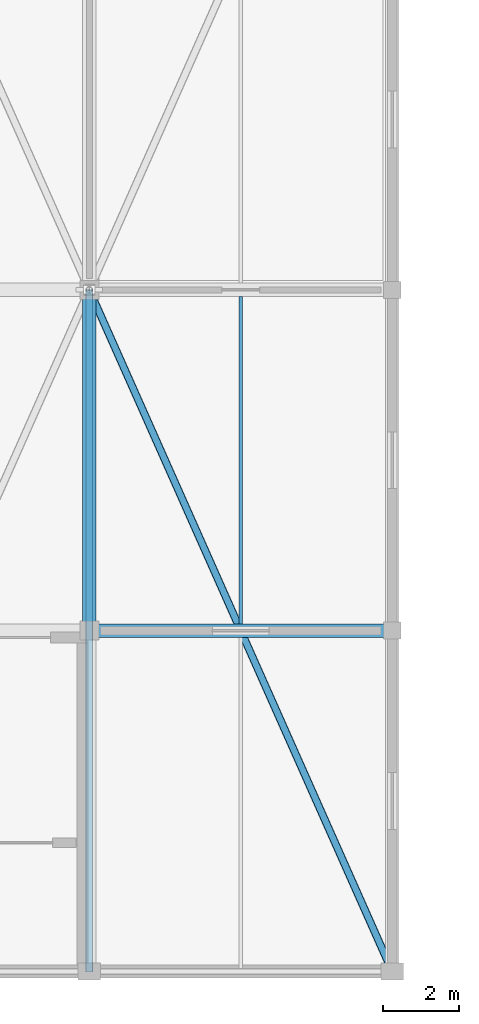
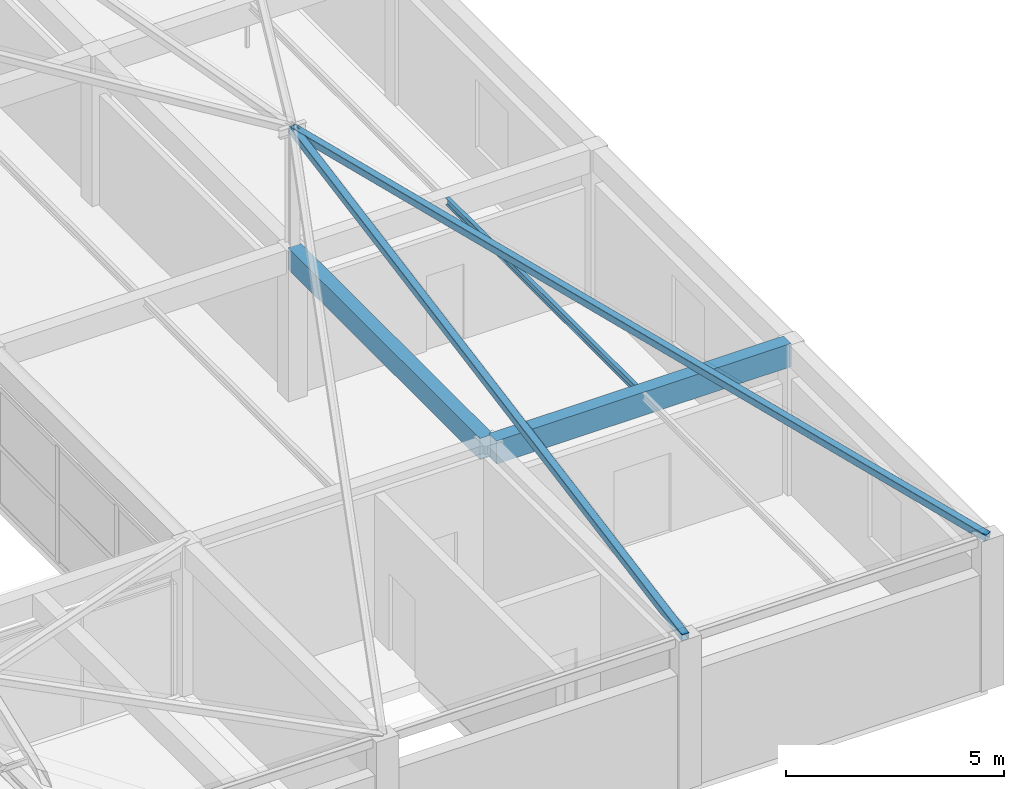
# One storey, part 37 of 65: 3 beams, 2 members.
"""IFC4 building model written with IfcOpenShell, lengths in metres."""

import ifcopenshell
import ifcopenshell.guid

model = None  # the IFC model being written
_history = None  # IfcOwnerHistory: only IFC2X3 demands one
_inside = {}  # id of a spatial element -> (the spatial element, [elements in it])
_under = {}  # id of a project, library or spatial element -> (it, [spatial elements below it])
_declared = {}  # id of a project -> (the project, [libraries it declares])
_typed = {}  # id of a type object -> (the type object, [elements of that type])
_made_of = {}  # id of a material, layer set ... -> (it, [elements and type objects made of it])


def new_model(schema):
    """Start an empty IFC model of exactly this schema.

    Asked for "IFC4X3", IfcOpenShell would pick the latest addendum, in which some entities
    have other attributes; the version numbers below select the first issue.
    IFC2X3 requires an IfcOwnerHistory on every rooted entity: one is made here for all.
    """
    global model, _history
    if schema == "IFC4X3":
        model = ifcopenshell.file(schema_version=(4, 3, 0, 0))
    else:
        model = ifcopenshell.file(schema=schema)
    _inside.clear()
    _under.clear()
    _declared.clear()
    _typed.clear()
    _made_of.clear()
    _history = None
    if model.schema == "IFC2X3":
        org = make("IfcOrganization", Name="unknown")
        user = make(
            "IfcPersonAndOrganization",
            ThePerson=make("IfcPerson", FamilyName="unknown"),
            TheOrganization=org,
        )
        app = make(
            "IfcApplication",
            ApplicationDeveloper=org,
            Version="unknown",
            ApplicationFullName="unknown",
            ApplicationIdentifier="unknown",
        )
        _history = make(
            "IfcOwnerHistory",
            OwningUser=user,
            OwningApplication=app,
            ChangeAction="ADDED",
            CreationDate=0,
        )
    return model


def make(cls, **values):
    """One entity of the class cls with the attributes given. An attribute that is None is left unset."""
    return model.create_entity(
        cls, **{name: value for name, value in values.items() if value is not None}
    )


def rooted(cls, **values):
    """An entity with a GlobalId (a new one), such as an element, a storey or a relation."""
    return make(cls, GlobalId=ifcopenshell.guid.new(), OwnerHistory=_history, **values)


def si_unit(unit_type, name, prefix=None):
    """IfcSIUnit, for example si_unit("LENGTHUNIT", "METRE", prefix="MILLI")."""
    return make("IfcSIUnit", UnitType=unit_type, Prefix=prefix, Name=name)


def assignment(units):
    """IfcUnitAssignment: the units of a project."""
    return None if units is None else make("IfcUnitAssignment", Units=units)


def point(xyz):
    """IfcCartesianPoint."""
    return None if xyz is None else make("IfcCartesianPoint", Coordinates=xyz)


def direction(xyz):
    """IfcDirection."""
    return None if xyz is None else make("IfcDirection", DirectionRatios=xyz)


def frame(location, z_axis=None, x_axis=None):
    """IfcAxis2Placement3D, a coordinate frame: its origin and axes. An axis left out is left unset."""
    return make(
        "IfcAxis2Placement3D",
        Location=point(location),
        Axis=direction(z_axis),
        RefDirection=direction(x_axis),
    )


def frame_2d(location, x_axis=None):
    """IfcAxis2Placement2D, a coordinate frame in the plane: its origin and x axis."""
    return make(
        "IfcAxis2Placement2D", Location=point(location), RefDirection=direction(x_axis)
    )


def origin():
    """The frame at (0, 0, 0) with its axes left unset."""
    return frame((0.0, 0.0, 0.0))


def origin_2d():
    """The frame at (0, 0) in the plane with its x axis left unset."""
    return frame_2d((0.0, 0.0))


def place(relative_to, where):
    """IfcLocalPlacement: puts the frame where relative to a parent placement (None: the world)."""
    return make(
        "IfcLocalPlacement", PlacementRelTo=relative_to, RelativePlacement=where
    )


def context(
    kind, dimensions, precision=None, world=None, true_north=None, identifier=None
):
    """IfcGeometricRepresentationContext, for example the 3D "Model" context."""
    return make(
        "IfcGeometricRepresentationContext",
        ContextIdentifier=identifier,
        ContextType=kind,
        CoordinateSpaceDimension=dimensions,
        Precision=precision,
        WorldCoordinateSystem=world,
        TrueNorth=true_north,
    )


def subcontext(parent, identifier, kind, view, scale=None):
    """IfcGeometricRepresentationSubContext, for example "Body" below "Model"."""
    return make(
        "IfcGeometricRepresentationSubContext",
        ContextIdentifier=identifier,
        ContextType=kind,
        ParentContext=parent,
        TargetScale=scale,
        TargetView=view,
    )


def project(units=None, contexts=None):
    """IfcProject with its units and contexts."""
    return rooted(
        "IfcProject",
        Name="project",
        RepresentationContexts=contexts,
        UnitsInContext=assignment(units),
    )


def spatial(cls, under=None, at=None, **own):
    """A site, building, storey or space (cls), placed at a placement, below another one or the project."""
    s = rooted(cls, ObjectPlacement=at, **own)
    if under is not None:
        _under.setdefault(under.id(), (under, []))[1].append(s)
    return s


def profile(cls, at=None, kind="AREA", **sizes):
    """A parametric profile (cls). Its sizes go by their IFC names, for example OverallWidth=200.0."""
    return make(cls, ProfileType=kind, Position=at, **sizes)


def rectangle(**sizes):
    """IfcRectangleProfileDef."""
    return profile("IfcRectangleProfileDef", **sizes)


def hollow_rectangle(**sizes):
    """IfcRectangleHollowProfileDef."""
    return profile("IfcRectangleHollowProfileDef", **sizes)


def i_section(**sizes):
    """IfcIShapeProfileDef."""
    return profile("IfcIShapeProfileDef", **sizes)


def extrude(swept, where, along, depth):
    """IfcExtrudedAreaSolid: the profile swept, set in the frame where, extruded along a direction by depth."""
    return make(
        "IfcExtrudedAreaSolid",
        SweptArea=swept,
        Position=where,
        ExtrudedDirection=direction(along),
        Depth=depth,
    )


def shape(context_of_items, identifier, shape_type, items):
    """IfcShapeRepresentation: the items that make up one representation, for example the "Body"."""
    return make(
        "IfcShapeRepresentation",
        ContextOfItems=context_of_items,
        RepresentationIdentifier=identifier,
        RepresentationType=shape_type,
        Items=items,
    )


def material(Name=None, Category=None):
    """IfcMaterial."""
    return make("IfcMaterial", Name=Name, Category=Category)


def material_profile(
    of_material, cross_section, Name=None, Category=None, Priority=None
):
    """IfcMaterialProfile: a cross section and its material."""
    return make(
        "IfcMaterialProfile",
        Name=Name,
        Material=of_material,
        Profile=cross_section,
        Priority=Priority,
        Category=Category,
    )


def profile_set(profiles, Name=None, composite=None):
    """IfcMaterialProfileSet."""
    return make(
        "IfcMaterialProfileSet",
        Name=Name,
        MaterialProfiles=profiles,
        CompositeProfile=composite,
    )


def made_of(thing, what):
    """Note that an element or type object is made of a material, layer set ...; save() writes the relation."""
    if what is not None:
        _made_of.setdefault(what.id(), (what, []))[1].append(thing)
    return thing


def type_object(cls, material=None, **own):
    """A type object (cls), such as IfcWallType, which elements share."""
    return made_of(rooted(cls, **own), material)


def element(
    cls,
    number,
    at=None,
    inside=None,
    cuts=None,
    type_object=None,
    material=None,
    context=None,
    identifier="Body",
    shape_type=None,
    held_by="IfcProductDefinitionShape",
    body=None,
    shapes=None,
    **own,
):
    """One element of the class cls, such as IfcWall. Its Tag is "e" and its number.

    at: its placement. inside: the storey or other place that contains it. cuts: it is an
    opening in that element (IfcRelVoidsElement). A single representation is given by context,
    identifier, shape_type and body (its items); several are given by shapes. held_by: the class
    of the entity that holds the representations. save() writes the other relations.
    """
    e = rooted(cls, Tag="e%d" % number, ObjectPlacement=at, **own)
    if body is not None:
        shapes = [shape(context, identifier, shape_type, body)]
    if shapes is not None:
        e.Representation = make(held_by, Representations=shapes)
    if inside is not None:
        _inside.setdefault(inside.id(), (inside, []))[1].append(e)
    if cuts is not None:
        rooted(
            "IfcRelVoidsElement", RelatingBuildingElement=cuts, RelatedOpeningElement=e
        )
    if type_object is not None:
        _typed.setdefault(type_object.id(), (type_object, []))[1].append(e)
    return made_of(e, material)


def aggregate(whole, parts):
    """IfcRelAggregates: a whole, such as a stair, and the parts it consists of."""
    return rooted("IfcRelAggregates", RelatingObject=whole, RelatedObjects=parts)


def save(model, path):
    """Write the relations noted so far, then the file.

    IfcRelAggregates (storeys below a building ...), IfcRelContainedInSpatialStructure (elements
    in a storey), IfcRelDefinesByType, IfcRelAssociatesMaterial and IfcRelDeclares: one each for
    every whole, place, type object, material and project.
    """
    for whole, parts in _under.values():
        aggregate(whole, parts)
    for where, things in _inside.values():
        rooted(
            "IfcRelContainedInSpatialStructure",
            RelatedElements=things,
            RelatingStructure=where,
        )
    for kind, things in _typed.values():
        rooted("IfcRelDefinesByType", RelatedObjects=things, RelatingType=kind)
    for what, things in _made_of.values():
        rooted("IfcRelAssociatesMaterial", RelatedObjects=things, RelatingMaterial=what)
    for by, libraries in _declared.values():
        rooted("IfcRelDeclares", RelatingContext=by, RelatedDefinitions=libraries)
    model.write(path)


model = new_model("IFC4")

# Units and contexts
model_context = context("Model", 3, precision=1e-05, world=origin(), true_north=direction((0.0, 1.0)))
body_context = subcontext(model_context, "Body", "Model", "MODEL_VIEW")
ifc_project = project(units=[si_unit("LENGTHUNIT", "METRE"), si_unit("AREAUNIT", "SQUARE_METRE"), si_unit("VOLUMEUNIT", "CUBIC_METRE"), si_unit("PLANEANGLEUNIT", "RADIAN"), si_unit("MASSUNIT", "GRAM", prefix="KILO")], contexts=[model_context])

# Site, building, storey
site_placement = place(None, origin())
site = spatial("IfcSite", under=ifc_project, at=site_placement, CompositionType="ELEMENT")
building_placement = place(site_placement, origin())
building = spatial("IfcBuilding", under=site, at=building_placement, Name="Varnabhumi Central Station", CompositionType="ELEMENT")
storey_placement = place(building_placement, frame((0.0, 0.0, 24.60009765625)))
storey = spatial("IfcBuildingStorey", under=building, at=storey_placement, Name="L05", CompositionType="ELEMENT", Elevation=24.60009765625)

# Beams
ifc_material_1 = material(Name="Concrete M40", Category="concrete")
ifc_material_profile_1 = material_profile(ifc_material_1, rectangle(XDim=0.35009765625, YDim=0.60009765625, at=origin_2d()), Name="Concrete M40", Category="concrete")
ifc_profile_set_1 = profile_set([ifc_material_profile_1], Name="Concrete M40")
beam_type_1 = type_object("IfcBeamType", Name="BM-RC-350x600", PredefinedType="BEAM", material=ifc_profile_set_1)
beam_1_placement = place(storey_placement, frame((152.0, 9.10009765625, 3.89990234375), z_axis=(0.0, 1.0, 0.0), x_axis=(-1.0, 0.0, 0.0)))
element("IfcBeam", 1, at=beam_1_placement, inside=storey, type_object=beam_type_1, Name="Beam L05-20:B-C", PredefinedType="BEAM", context=body_context, shape_type="SweptSolid", body=[
    extrude(rectangle(XDim=0.35009765625, YDim=0.60009765625, at=origin_2d()), origin(), (0.0, 0.0, 1.0), 8.7998046875),
])
ifc_material_profile_2 = material_profile(ifc_material_1, rectangle(XDim=0.35009765625, YDim=0.64990234375, at=origin_2d()), Name="Concrete M40", Category="concrete")
ifc_profile_set_2 = profile_set([ifc_material_profile_2], Name="Concrete M40")
beam_type_2 = type_object("IfcBeamType", Name="BM-RC-350x650", PredefinedType="BEAM", material=ifc_profile_set_2)
beam_2_placement = place(storey_placement, frame((152.10009765625, 9.0, 3.875), z_axis=(1.0, 0.0, 0.0), x_axis=(0.0, 1.0, 0.0)))
element("IfcBeam", 2, at=beam_2_placement, inside=storey, type_object=beam_type_2, Name="Beam L05-B:20-21", PredefinedType="BEAM", context=body_context, shape_type="SweptSolid", body=[
    extrude(rectangle(XDim=0.35009765625, YDim=0.64990234375, at=origin_2d()), origin(), (0.0, 0.0, 1.0), 7.7998046875),
])
ifc_material_2 = material(Name="Structural steel E350", Category="steel")
ifc_material_profile_3 = material_profile(ifc_material_2, i_section(OverallWidth=0.10009765625, OverallDepth=0.199951171875, WebThickness=0.005615234375, FlangeThickness=0.0107421875, FilletRadius=0.010986328125, at=origin_2d()), Name="Structural steel E350", Category="steel")
ifc_profile_set_3 = profile_set([ifc_material_profile_3], Name="Structural steel E350")
beam_type_3 = type_object("IfcBeamType", Name="BM-STL-ISMB200", PredefinedType="JOIST", material=ifc_profile_set_3)
beam_3_placement = place(storey_placement, frame((156.0, 9.175048828125, 4.099853515625), z_axis=(0.0, 1.0, 0.0), x_axis=(-1.0, 0.0, 0.0)))
element("IfcBeam", 3, at=beam_3_placement, inside=storey, type_object=beam_type_3, Name="Secondary Joist L05-20/21:B-C", PredefinedType="JOIST", context=body_context, shape_type="SweptSolid", body=[
    extrude(i_section(OverallWidth=0.10009765625, OverallDepth=0.199951171875, WebThickness=0.005615234375, FlangeThickness=0.0107421875, FilletRadius=0.010986328125, at=origin_2d()), origin(), (0.0, 0.0, 1.0), 8.64990234375),
])

# Members
ifc_material_profile_4 = material_profile(ifc_material_2, hollow_rectangle(XDim=0.199951171875, YDim=0.199951171875, WallThickness=0.010009765625, InnerFilletRadius=0.010009765625, OuterFilletRadius=0.02001953125, at=origin_2d()), Name="Structural steel E350", Category="steel")
ifc_profile_set_4 = profile_set([ifc_material_profile_4], Name="Structural steel E350")
member_type = type_object("IfcMemberType", Name="MBR-RAFT-SHS200", PredefinedType="RAFTER", material=ifc_profile_set_4)
member_1_placement = place(storey_placement, frame((160.0, 0.0, 4.10986328125), z_axis=(-0.400555995964, 0.90125099092, 0.165231793135), x_axis=(-0.91381154862, -0.406138466053, 0.0)))
element("IfcMember", 4, at=member_1_placement, inside=storey, type_object=member_type, Name="Mission Roof Hip Rafter SW6W-WS", PredefinedType="RAFTER", context=body_context, shape_type="SweptSolid", body=[
    extrude(hollow_rectangle(XDim=0.199951171875, YDim=0.199951171875, WallThickness=0.010009765625, InnerFilletRadius=0.010009765625, OuterFilletRadius=0.02001953125, at=origin_2d()), origin(), (0.0, 0.0, 1.0), 19.97216796875),
])
member_2_placement = place(storey_placement, frame((152.0, 0.0, 4.10986328125), z_axis=(0.0, 0.98360608411, 0.180330450289), x_axis=(-1.0, 0.0, 0.0)))
element("IfcMember", 5, at=member_2_placement, inside=storey, type_object=member_type, Name="Mission Roof South Rafter SW6W-2", PredefinedType="RAFTER", context=body_context, shape_type="SweptSolid", body=[
    extrude(hollow_rectangle(XDim=0.199951171875, YDim=0.199951171875, WallThickness=0.010009765625, InnerFilletRadius=0.010009765625, OuterFilletRadius=0.02001953125, at=origin_2d()), origin(), (0.0, 0.0, 1.0), 18.300048828125),
])

save(model, "model.ifc")
